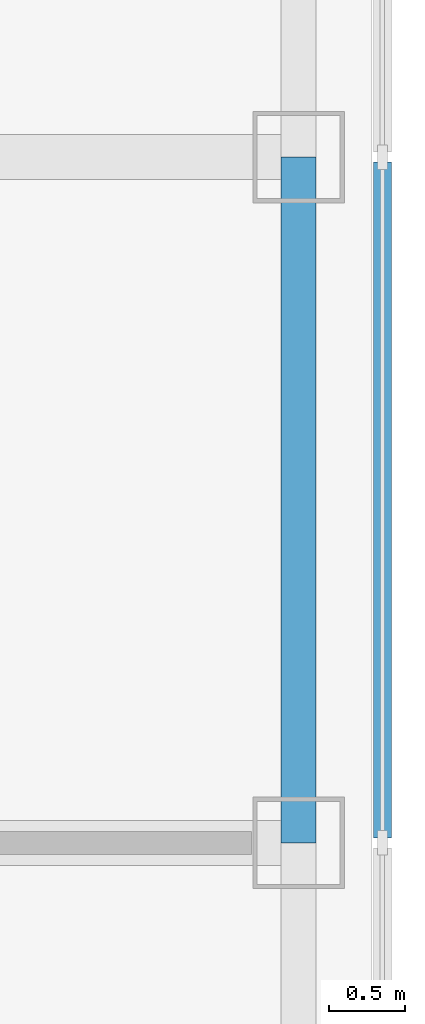
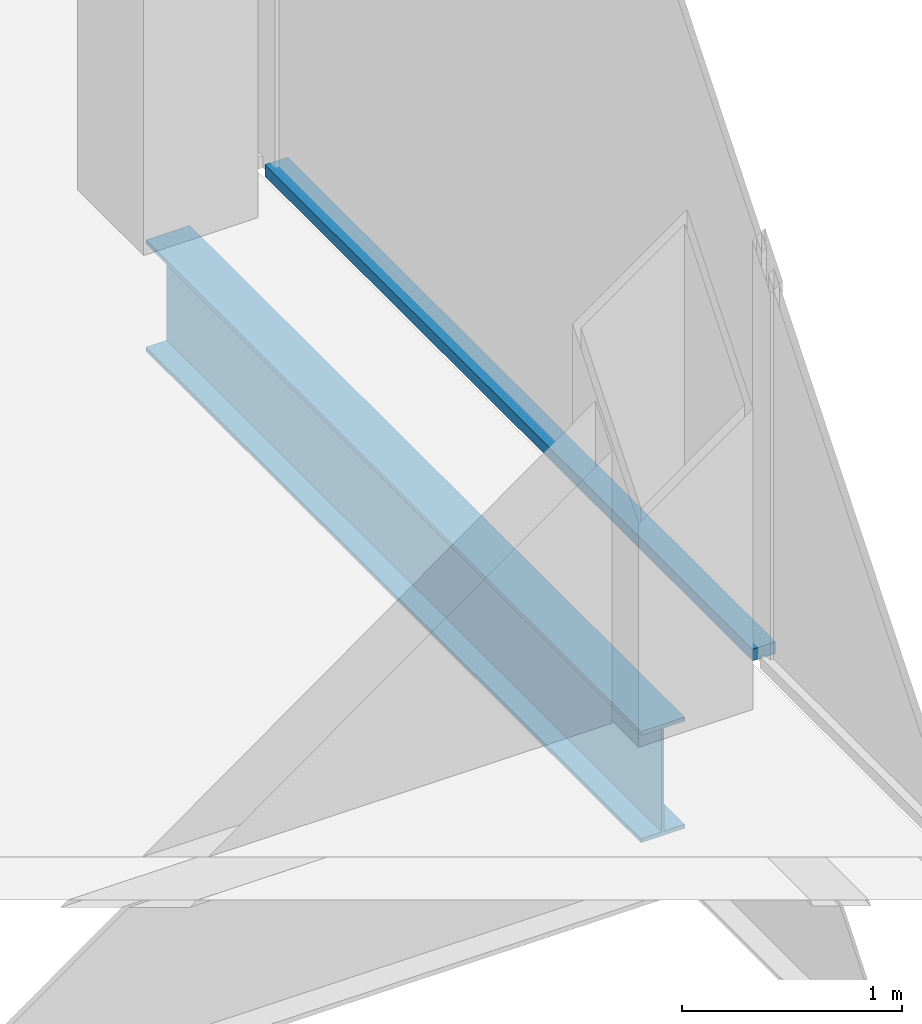
# One storey, part 5 of 14: 1 beam, 1 member, 1 element without a shape of its own.
"""IFC4 building model written with IfcOpenShell, lengths in metres."""

from ifc_helpers import new_model, si_unit, direction, frame, origin, origin_2d, place, context, subcontext, project, spatial, rectangle, i_section, extrude, material, material_profile, profile_set, type_object, element, aggregate, save


model = new_model("IFC4")

# Units and contexts
model_context = context("Model", 3, precision=1e-05, world=origin(), true_north=direction((0.0, 1.0)))
body_context = subcontext(model_context, "Body", "Model", "MODEL_VIEW")
ifc_project = project(units=[si_unit("LENGTHUNIT", "METRE"), si_unit("AREAUNIT", "SQUARE_METRE"), si_unit("VOLUMEUNIT", "CUBIC_METRE"), si_unit("PLANEANGLEUNIT", "RADIAN"), si_unit("MASSUNIT", "GRAM", prefix="KILO")], contexts=[model_context])

# Site, building, storey
site_placement = place(None, origin())
site = spatial("IfcSite", under=ifc_project, at=site_placement, CompositionType="ELEMENT")
building_placement = place(site_placement, origin())
building = spatial("IfcBuilding", under=site, at=building_placement, Name="Corais Broadcast Tower", CompositionType="ELEMENT")
storey_placement = place(building_placement, frame((0.0, 0.0, 282.60009765625)))
storey = spatial("IfcBuildingStorey", under=building, at=storey_placement, Name="L66", CompositionType="ELEMENT", Elevation=282.60009765625)

# Beam
ifc_material_1 = material(Name="Steel ASTM A572 Grade 50", Category="steel")
ifc_material_profile_1 = material_profile(ifc_material_1, i_section(OverallWidth=0.22998046875, OverallDepth=0.616943359375, WebThickness=0.01318359375, FlangeThickness=0.022216796875, at=origin_2d()), Name="W610x140")
ifc_profile_set_1 = profile_set([ifc_material_profile_1], Name="Steel ASTM A572 Grade 50")
beam_type = type_object("IfcBeamType", Name="Spandrel W610x140", PredefinedType="BEAM", material=ifc_profile_set_1)
beam_placement = place(storey_placement, frame((54.0, 27.0, -0.468505859375), z_axis=(0.0, 1.0, 0.0), x_axis=(-1.0, 0.0, 0.0)))
element("IfcBeam", 1, at=beam_placement, inside=storey, type_object=beam_type, Name="SB3 G/15 to H/15", PredefinedType="BEAM", context=body_context, shape_type="SweptSolid", body=[
    extrude(i_section(OverallWidth=0.22998046875, OverallDepth=0.616943359375, WebThickness=0.01318359375, FlangeThickness=0.022216796875, at=origin_2d()), origin(), (0.0, 0.0, 1.0), 4.5),
])

# Curtain wall, member
ifc_material_2 = material(Name="Aluminium and glass", Category="aluminium")
curtain_wall_type = type_object("IfcCurtainWallType", Name="Unitised fritted curtain wall CW3", PredefinedType="NOTDEFINED", material=ifc_material_2)
curtain_wall_placement = place(storey_placement, origin())
curtain_wall = element("IfcCurtainWall", 2, at=curtain_wall_placement, inside=storey, type_object=curtain_wall_type, Name="CW3 curtain wall L66 6", PredefinedType="NOTDEFINED")
ifc_material_3 = material(Name="Aluminium 6063-T6", Category="aluminium")
ifc_material_profile_2 = material_profile(ifc_material_3, rectangle(XDim=0.1201171875, YDim=0.06494140625, at=origin_2d()), Name="Transom CW3 65x120")
ifc_profile_set_2 = profile_set([ifc_material_profile_2], Name="Aluminium 6063-T6")
member_type = type_object("IfcMemberType", Name="Transom CW3 65x120", PredefinedType="USERDEFINED", material=ifc_profile_set_2)
member_placement = place(storey_placement, frame((54.550048828125, 31.467529296875, 0.032470703125), z_axis=(0.0, -1.0, 0.0), x_axis=(1.0, 0.0, 0.0)))
member = element("IfcMember", 3, at=member_placement, type_object=member_type, Name="CW3 transom 3.1", ObjectType="TRANSOM", PredefinedType="USERDEFINED", context=body_context, shape_type="SweptSolid", body=[
    extrude(rectangle(XDim=0.1201171875, YDim=0.06494140625, at=origin_2d()), origin(), (0.0, 0.0, 1.0), 4.43505859375),
])
aggregate(curtain_wall, [member])

save(model, "model.ifc")
